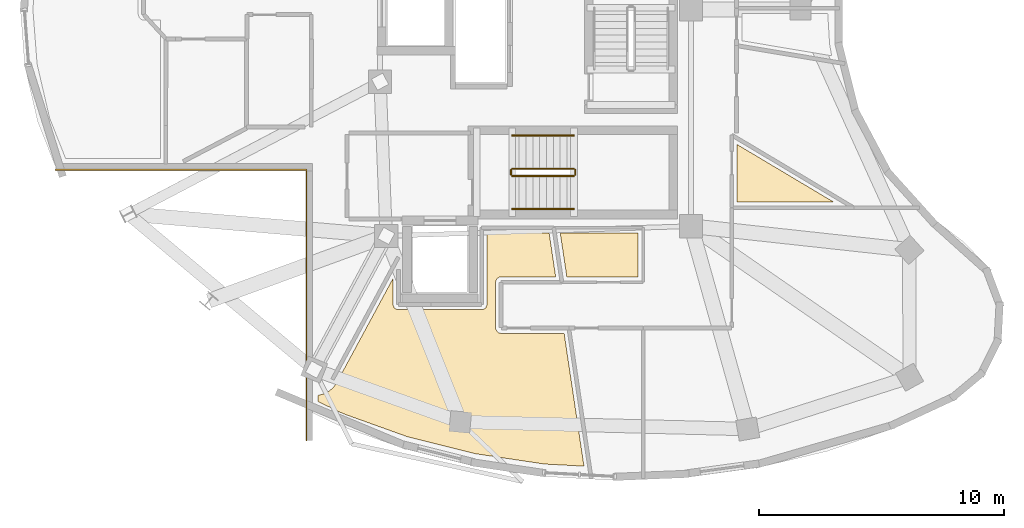
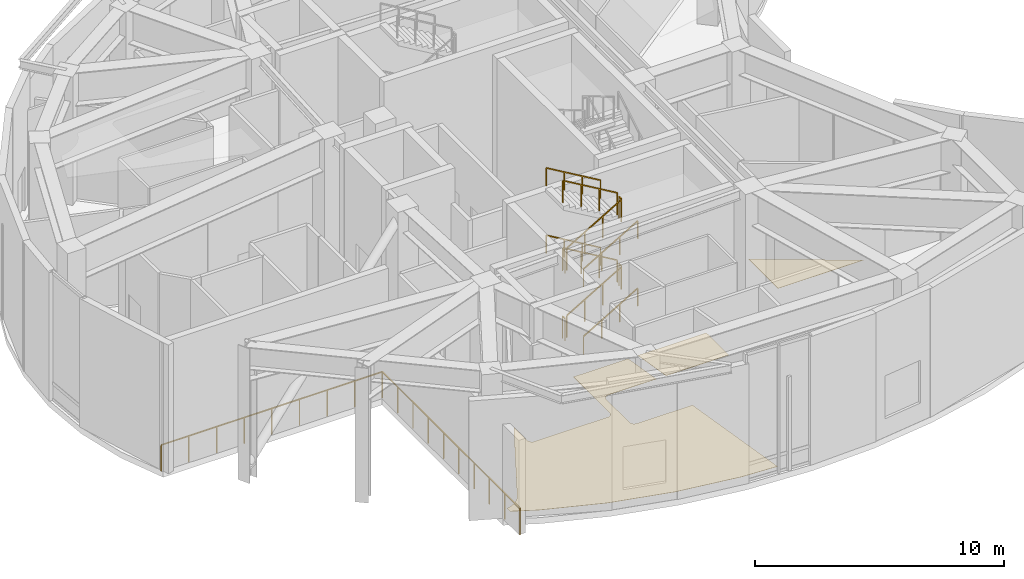
# One storey, part 10 of 12: 13 railings, 3 coverings.
"""IFC4 building model written with IfcOpenShell, lengths in metres."""

from ifc_helpers import new_model, si_unit, direction, frame, origin, origin_2d, place, context, subcontext, project, spatial, polyline, rectangle, outline, extrude, material, layer, layer_set, type_object, element, save


model = new_model("IFC4")

# Units and contexts
model_context = context("Model", 3, precision=1e-05, world=origin(), true_north=direction((0.0, 1.0)))
body_context = subcontext(model_context, "Body", "Model", "MODEL_VIEW")
ifc_project = project(units=[si_unit("LENGTHUNIT", "METRE"), si_unit("AREAUNIT", "SQUARE_METRE"), si_unit("VOLUMEUNIT", "CUBIC_METRE"), si_unit("PLANEANGLEUNIT", "RADIAN"), si_unit("MASSUNIT", "GRAM", prefix="KILO")], contexts=[model_context])

# Site, building, storey
site_placement = place(None, origin())
site = spatial("IfcSite", under=ifc_project, at=site_placement, CompositionType="ELEMENT")
building_placement = place(site_placement, origin())
building = spatial("IfcBuilding", under=site, at=building_placement, Name="Korentha Bioscience Tower", CompositionType="ELEMENT")
storey_placement = place(building_placement, frame((0.0, 0.0, 291.0)))
storey = spatial("IfcBuildingStorey", under=building, at=storey_placement, Name="L67", CompositionType="ELEMENT", Elevation=291.0)

# Railings
ifc_material_1 = material(Name="Stainless Steel 304", Category="steel")
railing_type_1 = type_object("IfcRailingType", Name="Brushed Stainless Stair Handrail 900", PredefinedType="HANDRAIL", material=ifc_material_1)
railing_1_placement = place(storey_placement, frame((30.25, 18.85009765625, 0.1650390625)))
element("IfcRailing", 1, at=railing_1_placement, inside=storey, type_object=railing_type_1, Name="L67 ST-2 stair handrail 1", PredefinedType="HANDRAIL", context=body_context, shape_type="SweptSolid", body=[
    extrude(rectangle(XDim=0.048095703125, YDim=0.048095703125, at=origin_2d()), frame((0.0, 0.0, 0.8759765625), z_axis=(0.861560626758, 0.0, 0.507654692109), x_axis=(0.0, 1.0, 0.0)), (0.0, 0.0, 1.0), 2.925048828125),
    extrude(rectangle(XDim=0.0419921875, YDim=0.0419921875, at=origin_2d()), origin(), (0.0, 0.0, 1.0), 0.851806640625),
    extrude(rectangle(XDim=0.0419921875, YDim=0.0419921875, at=origin_2d()), frame((0.840087890625, 0.0, 0.494873046875)), (0.0, 0.0, 1.0), 0.851806640625),
    extrude(rectangle(XDim=0.0419921875, YDim=0.0419921875, at=origin_2d()), frame((1.679931640625, 0.0, 0.989990234375)), (0.0, 0.0, 1.0), 0.851806640625),
    extrude(rectangle(XDim=0.0419921875, YDim=0.0419921875, at=origin_2d()), frame((2.52001953125, 0.0, 1.48486328125)), (0.0, 0.0, 1.0), 0.851806640625),
])
railing_2_placement = place(storey_placement, frame((32.77001953125, 21.85009765625, 1.81494140625)))
element("IfcRailing", 2, at=railing_2_placement, inside=storey, type_object=railing_type_1, Name="L67 ST-2 stair handrail 2", PredefinedType="HANDRAIL", context=body_context, shape_type="SweptSolid", body=[
    extrude(rectangle(XDim=0.048095703125, YDim=0.048095703125, at=origin_2d()), frame((0.0, 0.0, 0.8759765625), z_axis=(-0.86152411907, 0.0, 0.507716645641), x_axis=(0.0, -1.0, 0.0)), (0.0, 0.0, 1.0), 2.925048828125),
    extrude(rectangle(XDim=0.0419921875, YDim=0.0419921875, at=origin_2d()), origin(), (0.0, 0.0, 1.0), 0.851806640625),
    extrude(rectangle(XDim=0.0419921875, YDim=0.0419921875, at=origin_2d()), frame((-0.840087890625, 0.0, 0.4951171875)), (0.0, 0.0, 1.0), 0.851806640625),
    extrude(rectangle(XDim=0.0419921875, YDim=0.0419921875, at=origin_2d()), frame((-1.679931640625, 0.0, 0.989990234375)), (0.0, 0.0, 1.0), 0.851806640625),
    extrude(rectangle(XDim=0.0419921875, YDim=0.0419921875, at=origin_2d()), frame((-2.52001953125, 0.0, 1.485107421875)), (0.0, 0.0, 1.0), 0.851806640625),
])
railing_3_placement = place(storey_placement, frame((30.25, 18.85009765625, 3.465087890625)))
element("IfcRailing", 3, at=railing_3_placement, inside=storey, type_object=railing_type_1, Name="L67 ST-2 stair handrail 3", PredefinedType="HANDRAIL", context=body_context, shape_type="SweptSolid", body=[
    extrude(rectangle(XDim=0.048095703125, YDim=0.048095703125, at=origin_2d()), frame((0.0, 0.0, 0.8759765625), z_axis=(0.861560626758, 0.0, 0.507654692109), x_axis=(0.0, 1.0, 0.0)), (0.0, 0.0, 1.0), 2.925048828125),
    extrude(rectangle(XDim=0.0419921875, YDim=0.0419921875, at=origin_2d()), origin(), (0.0, 0.0, 1.0), 0.851806640625),
    extrude(rectangle(XDim=0.0419921875, YDim=0.0419921875, at=origin_2d()), frame((0.840087890625, 0.0, 0.494873046875)), (0.0, 0.0, 1.0), 0.851806640625),
    extrude(rectangle(XDim=0.0419921875, YDim=0.0419921875, at=origin_2d()), frame((1.679931640625, 0.0, 0.989990234375)), (0.0, 0.0, 1.0), 0.851806640625),
    extrude(rectangle(XDim=0.0419921875, YDim=0.0419921875, at=origin_2d()), frame((2.52001953125, 0.0, 1.48486328125)), (0.0, 0.0, 1.0), 0.851806640625),
])
railing_4_placement = place(storey_placement, frame((32.77001953125, 21.85009765625, 5.114990234375)))
element("IfcRailing", 4, at=railing_4_placement, inside=storey, type_object=railing_type_1, Name="L67 ST-2 stair handrail 4", PredefinedType="HANDRAIL", context=body_context, shape_type="SweptSolid", body=[
    extrude(rectangle(XDim=0.048095703125, YDim=0.048095703125, at=origin_2d()), frame((0.0, 0.0, 0.8759765625), z_axis=(-0.86152411907, 0.0, 0.507716645641), x_axis=(0.0, -1.0, 0.0)), (0.0, 0.0, 1.0), 2.925048828125),
    extrude(rectangle(XDim=0.0419921875, YDim=0.0419921875, at=origin_2d()), origin(), (0.0, 0.0, 1.0), 0.851806640625),
    extrude(rectangle(XDim=0.0419921875, YDim=0.0419921875, at=origin_2d()), frame((-0.840087890625, 0.0, 0.4951171875)), (0.0, 0.0, 1.0), 0.851806640625),
    extrude(rectangle(XDim=0.0419921875, YDim=0.0419921875, at=origin_2d()), frame((-1.679931640625, 0.0, 0.989990234375)), (0.0, 0.0, 1.0), 0.851806640625),
    extrude(rectangle(XDim=0.0419921875, YDim=0.0419921875, at=origin_2d()), frame((-2.52001953125, 0.0, 1.485107421875)), (0.0, 0.0, 1.0), 0.851806640625),
])
ifc_material_2 = material(Name="Laminated Acoustic Safety Glass", Category="glass")
railing_type_2 = type_object("IfcRailingType", Name="Observatory Wind-Baffle Guardrail 1300", PredefinedType="BALUSTRADE", material=ifc_material_2)
railing_5_placement = place(storey_placement, frame((11.60009765625, 20.449951171875, 0.0)))
element("IfcRailing", 5, at=railing_5_placement, inside=storey, type_object=railing_type_2, Name="L67 Wind Portal Safety Guardrail", PredefinedType="BALUSTRADE", context=body_context, shape_type="SweptSolid", body=[
    extrude(rectangle(XDim=0.048095703125, YDim=0.048095703125, at=origin_2d()), frame((0.0, 0.0, 1.27587890625), z_axis=(1.0, 0.0, 0.0), x_axis=(0.0, 1.0, 0.0)), (0.0, 0.0, 1.0), 10.25),
    extrude(rectangle(XDim=0.048095703125, YDim=0.048095703125, at=origin_2d()), frame((10.25, 0.0, 1.27587890625), z_axis=(0.0, -1.0, 0.0), x_axis=(1.0, 0.0, 0.0)), (0.0, 0.0, 1.0), 11.050048828125),
    extrude(rectangle(XDim=0.0419921875, YDim=0.0419921875, at=origin_2d()), origin(), (0.0, 0.0, 1.0), 1.251953125),
    extrude(rectangle(XDim=0.0419921875, YDim=0.0419921875, at=origin_2d()), frame((1.28125, 0.0, 0.0)), (0.0, 0.0, 1.0), 1.251953125),
    extrude(rectangle(XDim=0.0419921875, YDim=0.0419921875, at=origin_2d()), frame((2.5625, 0.0, 0.0)), (0.0, 0.0, 1.0), 1.251953125),
    extrude(rectangle(XDim=0.0419921875, YDim=0.0419921875, at=origin_2d()), frame((3.84375, 0.0, 0.0)), (0.0, 0.0, 1.0), 1.251953125),
    extrude(rectangle(XDim=0.0419921875, YDim=0.0419921875, at=origin_2d()), frame((5.125, 0.0, 0.0)), (0.0, 0.0, 1.0), 1.251953125),
    extrude(rectangle(XDim=0.0419921875, YDim=0.0419921875, at=origin_2d()), frame((6.40625, 0.0, 0.0)), (0.0, 0.0, 1.0), 1.251953125),
    extrude(rectangle(XDim=0.0419921875, YDim=0.0419921875, at=origin_2d()), frame((7.6875, 0.0, 0.0)), (0.0, 0.0, 1.0), 1.251953125),
    extrude(rectangle(XDim=0.0419921875, YDim=0.0419921875, at=origin_2d()), frame((8.96875, 0.0, 0.0)), (0.0, 0.0, 1.0), 1.251953125),
    extrude(rectangle(XDim=0.0419921875, YDim=0.0419921875, at=origin_2d()), frame((10.25, 0.0, 0.0)), (0.0, 0.0, 1.0), 1.251953125),
    extrude(rectangle(XDim=0.0419921875, YDim=0.0419921875, at=origin_2d()), frame((10.25, -1.227783203125, 0.0)), (0.0, 0.0, 1.0), 1.251953125),
    extrude(rectangle(XDim=0.0419921875, YDim=0.0419921875, at=origin_2d()), frame((10.25, -2.45556640625, 0.0)), (0.0, 0.0, 1.0), 1.251953125),
    extrude(rectangle(XDim=0.0419921875, YDim=0.0419921875, at=origin_2d()), frame((10.25, -3.683349609375, 0.0)), (0.0, 0.0, 1.0), 1.251953125),
    extrude(rectangle(XDim=0.0419921875, YDim=0.0419921875, at=origin_2d()), frame((10.25, -4.9111328125, 0.0)), (0.0, 0.0, 1.0), 1.251953125),
    extrude(rectangle(XDim=0.0419921875, YDim=0.0419921875, at=origin_2d()), frame((10.25, -6.138916015625, 0.0)), (0.0, 0.0, 1.0), 1.251953125),
    extrude(rectangle(XDim=0.0419921875, YDim=0.0419921875, at=origin_2d()), frame((10.25, -7.36669921875, 0.0)), (0.0, 0.0, 1.0), 1.251953125),
    extrude(rectangle(XDim=0.0419921875, YDim=0.0419921875, at=origin_2d()), frame((10.25, -8.594482421875, 0.0)), (0.0, 0.0, 1.0), 1.251953125),
    extrude(rectangle(XDim=0.0419921875, YDim=0.0419921875, at=origin_2d()), frame((10.25, -9.822265625, 0.0)), (0.0, 0.0, 1.0), 1.251953125),
    extrude(rectangle(XDim=0.0419921875, YDim=0.0419921875, at=origin_2d()), frame((10.25, -11.050048828125, 0.0)), (0.0, 0.0, 1.0), 1.251953125),
])
ifc_material_3 = material(Name="Painted Steel S275", Category="steel")
railing_type_3 = type_object("IfcRailingType", Name="Painted Steel Stair Well Guardrail 1100", PredefinedType="GUARDRAIL", material=ifc_material_3)
railing_6_placement = place(storey_placement, frame((30.25, 20.199951171875, 0.1650390625)))
element("IfcRailing", 6, at=railing_6_placement, inside=storey, type_object=railing_type_3, Name="L67 ST-2 stair guard 1", PredefinedType="GUARDRAIL", context=body_context, shape_type="SweptSolid", body=[
    extrude(rectangle(XDim=0.048095703125, YDim=0.048095703125, at=origin_2d()), frame((0.0, 0.0, 1.076171875), z_axis=(0.861560626758, 0.0, 0.507654692109), x_axis=(0.0, 1.0, 0.0)), (0.0, 0.0, 1.0), 2.925048828125),
    extrude(rectangle(XDim=0.0419921875, YDim=0.0419921875, at=origin_2d()), origin(), (0.0, 0.0, 1.0), 1.052001953125),
    extrude(rectangle(XDim=0.0419921875, YDim=0.0419921875, at=origin_2d()), frame((0.840087890625, 0.0, 0.494873046875)), (0.0, 0.0, 1.0), 1.052001953125),
    extrude(rectangle(XDim=0.0419921875, YDim=0.0419921875, at=origin_2d()), frame((1.679931640625, 0.0, 0.989990234375)), (0.0, 0.0, 1.0), 1.052001953125),
    extrude(rectangle(XDim=0.0419921875, YDim=0.0419921875, at=origin_2d()), frame((2.52001953125, 0.0, 1.48486328125)), (0.0, 0.0, 1.0), 1.052001953125),
])
railing_7_placement = place(storey_placement, frame((32.820068359375, 20.25, 1.64990234375)))
element("IfcRailing", 7, at=railing_7_placement, inside=storey, type_object=railing_type_3, Name="L67 ST-2 stair guard 2", PredefinedType="GUARDRAIL", context=body_context, shape_type="SweptSolid", body=[
    extrude(rectangle(XDim=0.048095703125, YDim=0.048095703125, at=origin_2d()), frame((0.0, 0.0, 1.076171875), z_axis=(0.0, 1.0, 0.0), x_axis=(-1.0, 0.0, 0.0)), (0.0, 0.0, 1.0), 0.199951171875),
    extrude(rectangle(XDim=0.0419921875, YDim=0.0419921875, at=origin_2d()), origin(), (0.0, 0.0, 1.0), 1.052001953125),
    extrude(rectangle(XDim=0.0419921875, YDim=0.0419921875, at=origin_2d()), frame((0.0, 0.199951171875, 0.0)), (0.0, 0.0, 1.0), 1.052001953125),
])
railing_8_placement = place(storey_placement, frame((32.77001953125, 20.5, 1.81494140625)))
element("IfcRailing", 8, at=railing_8_placement, inside=storey, type_object=railing_type_3, Name="L67 ST-2 stair guard 3", PredefinedType="GUARDRAIL", context=body_context, shape_type="SweptSolid", body=[
    extrude(rectangle(XDim=0.048095703125, YDim=0.048095703125, at=origin_2d()), frame((0.0, 0.0, 1.076171875), z_axis=(-0.86152411907, 0.0, 0.507716645641), x_axis=(0.0, -1.0, 0.0)), (0.0, 0.0, 1.0), 2.925048828125),
    extrude(rectangle(XDim=0.0419921875, YDim=0.0419921875, at=origin_2d()), origin(), (0.0, 0.0, 1.0), 1.052001953125),
    extrude(rectangle(XDim=0.0419921875, YDim=0.0419921875, at=origin_2d()), frame((-0.840087890625, 0.0, 0.4951171875)), (0.0, 0.0, 1.0), 1.052001953125),
    extrude(rectangle(XDim=0.0419921875, YDim=0.0419921875, at=origin_2d()), frame((-1.679931640625, 0.0, 0.989990234375)), (0.0, 0.0, 1.0), 1.052001953125),
    extrude(rectangle(XDim=0.0419921875, YDim=0.0419921875, at=origin_2d()), frame((-2.52001953125, 0.0, 1.485107421875)), (0.0, 0.0, 1.0), 1.052001953125),
])
railing_9_placement = place(storey_placement, frame((30.199951171875, 20.25, 3.300048828125)))
element("IfcRailing", 9, at=railing_9_placement, inside=storey, type_object=railing_type_3, Name="L67 ST-2 stair guard 4", PredefinedType="GUARDRAIL", context=body_context, shape_type="SweptSolid", body=[
    extrude(rectangle(XDim=0.048095703125, YDim=0.048095703125, at=origin_2d()), frame((0.0, 0.0, 1.076171875), z_axis=(0.0, 1.0, 0.0), x_axis=(-1.0, 0.0, 0.0)), (0.0, 0.0, 1.0), 0.199951171875),
    extrude(rectangle(XDim=0.0419921875, YDim=0.0419921875, at=origin_2d()), origin(), (0.0, 0.0, 1.0), 1.052001953125),
    extrude(rectangle(XDim=0.0419921875, YDim=0.0419921875, at=origin_2d()), frame((0.0, 0.199951171875, 0.0)), (0.0, 0.0, 1.0), 1.052001953125),
])
railing_10_placement = place(storey_placement, frame((30.25, 20.199951171875, 3.465087890625)))
element("IfcRailing", 10, at=railing_10_placement, inside=storey, type_object=railing_type_3, Name="L67 ST-2 stair guard 5", PredefinedType="GUARDRAIL", context=body_context, shape_type="SweptSolid", body=[
    extrude(rectangle(XDim=0.048095703125, YDim=0.048095703125, at=origin_2d()), frame((0.0, 0.0, 1.076171875), z_axis=(0.861560626758, 0.0, 0.507654692109), x_axis=(0.0, 1.0, 0.0)), (0.0, 0.0, 1.0), 2.925048828125),
    extrude(rectangle(XDim=0.0419921875, YDim=0.0419921875, at=origin_2d()), origin(), (0.0, 0.0, 1.0), 1.052001953125),
    extrude(rectangle(XDim=0.0419921875, YDim=0.0419921875, at=origin_2d()), frame((0.840087890625, 0.0, 0.494873046875)), (0.0, 0.0, 1.0), 1.052001953125),
    extrude(rectangle(XDim=0.0419921875, YDim=0.0419921875, at=origin_2d()), frame((1.679931640625, 0.0, 0.989990234375)), (0.0, 0.0, 1.0), 1.052001953125),
    extrude(rectangle(XDim=0.0419921875, YDim=0.0419921875, at=origin_2d()), frame((2.52001953125, 0.0, 1.48486328125)), (0.0, 0.0, 1.0), 1.052001953125),
])
railing_11_placement = place(storey_placement, frame((32.820068359375, 20.25, 4.949951171875)))
element("IfcRailing", 11, at=railing_11_placement, inside=storey, type_object=railing_type_3, Name="L67 ST-2 stair guard 6", PredefinedType="GUARDRAIL", context=body_context, shape_type="SweptSolid", body=[
    extrude(rectangle(XDim=0.048095703125, YDim=0.048095703125, at=origin_2d()), frame((0.0, 0.0, 1.076171875), z_axis=(0.0, 1.0, 0.0), x_axis=(-1.0, 0.0, 0.0)), (0.0, 0.0, 1.0), 0.199951171875),
    extrude(rectangle(XDim=0.0419921875, YDim=0.0419921875, at=origin_2d()), origin(), (0.0, 0.0, 1.0), 1.052001953125),
    extrude(rectangle(XDim=0.0419921875, YDim=0.0419921875, at=origin_2d()), frame((0.0, 0.199951171875, 0.0)), (0.0, 0.0, 1.0), 1.052001953125),
])
railing_12_placement = place(storey_placement, frame((32.77001953125, 20.5, 5.114990234375)))
element("IfcRailing", 12, at=railing_12_placement, inside=storey, type_object=railing_type_3, Name="L67 ST-2 stair guard 7", PredefinedType="GUARDRAIL", context=body_context, shape_type="SweptSolid", body=[
    extrude(rectangle(XDim=0.048095703125, YDim=0.048095703125, at=origin_2d()), frame((0.0, 0.0, 1.076171875), z_axis=(-0.86152411907, 0.0, 0.507716645641), x_axis=(0.0, -1.0, 0.0)), (0.0, 0.0, 1.0), 2.925048828125),
    extrude(rectangle(XDim=0.0419921875, YDim=0.0419921875, at=origin_2d()), origin(), (0.0, 0.0, 1.0), 1.052001953125),
    extrude(rectangle(XDim=0.0419921875, YDim=0.0419921875, at=origin_2d()), frame((-0.840087890625, 0.0, 0.4951171875)), (0.0, 0.0, 1.0), 1.052001953125),
    extrude(rectangle(XDim=0.0419921875, YDim=0.0419921875, at=origin_2d()), frame((-1.679931640625, 0.0, 0.989990234375)), (0.0, 0.0, 1.0), 1.052001953125),
    extrude(rectangle(XDim=0.0419921875, YDim=0.0419921875, at=origin_2d()), frame((-2.52001953125, 0.0, 1.485107421875)), (0.0, 0.0, 1.0), 1.052001953125),
])
railing_13_placement = place(storey_placement, frame((30.199951171875, 20.25, 0.0)))
element("IfcRailing", 13, at=railing_13_placement, inside=storey, type_object=railing_type_3, Name="L67 ST-2 stair guard 8", PredefinedType="GUARDRAIL", context=body_context, shape_type="SweptSolid", body=[
    extrude(rectangle(XDim=0.048095703125, YDim=0.048095703125, at=origin_2d()), frame((0.0, 0.0, 1.076171875), z_axis=(0.0, 1.0, 0.0), x_axis=(-1.0, 0.0, 0.0)), (0.0, 0.0, 1.0), 0.199951171875),
    extrude(rectangle(XDim=0.0419921875, YDim=0.0419921875, at=origin_2d()), origin(), (0.0, 0.0, 1.0), 1.052001953125),
    extrude(rectangle(XDim=0.0419921875, YDim=0.0419921875, at=origin_2d()), frame((0.0, 0.199951171875, 0.0)), (0.0, 0.0, 1.0), 1.052001953125),
])

# Coverings
ifc_material_4 = material(Name="Chemical-Resistant Epoxy Resin", Category="polymer")
ifc_layer = layer(ifc_material_4, 0.011962890625, Name="Chemical-Resistant Epoxy Resin")
ifc_layer_set = layer_set([ifc_layer], Name="Chemical-Resistant Epoxy Resin (FL-EPX)")
covering_type = type_object("IfcCoveringType", Name="Seamless Epoxy Laboratory Flooring 12", PredefinedType="FLOORING", material=ifc_layer_set)
covering_1_placement = place(storey_placement, origin())
element("IfcCovering", 14, at=covering_1_placement, inside=storey, type_object=covering_type, Name="L67 Biomechanical Motion Analysis Lab 03 Floor Finish", PredefinedType="FLOORING", context=body_context, shape_type="SweptSolid", body=[
    extrude(outline(polyline([(22.31005859375, 11.23291015625), (22.562744140625, 11.30078125), (22.748046875, 11.39892578125), (22.910888671875, 11.531494140625), (23.047607421875, 11.697998046875), (25.3798828125, 16.014404296875), (25.381103515625, 14.931884765625), (25.430908203125, 14.811767578125), (25.538818359375, 14.73974609375), (29.060791015625, 14.739501953125), (29.169189453125, 14.81201171875), (29.2197265625, 14.943115234375), (29.219970703125, 17.8701171875), (31.755615234375, 17.8701171875), (32.02294921875, 16.080078125), (29.789306640625, 16.07958984375), (29.72216796875, 16.06640625), (29.64599609375, 16.020751953125), (29.591796875, 15.947998046875), (29.5703125, 15.86083984375), (29.572509765625, 13.9658203125), (29.6025390625, 13.882080078125), (29.64599609375, 13.829345703125), (29.7021484375, 13.7919921875), (29.7880859375, 13.770263671875), (32.368408203125, 13.77001953125), (33.178955078125, 8.345458984375), (31.570068359375, 8.431396484375), (28.72802734375, 8.856201171875), (25.97314453125, 9.54541015625), (23.345703125, 10.488525390625), (22.31005859375, 10.98583984375), (22.31005859375, 11.23291015625)])), origin(), (0.0, 0.0, 1.0), 0.011962890625),
])
covering_2_placement = place(storey_placement, origin())
element("IfcCovering", 15, at=covering_2_placement, inside=storey, type_object=covering_type, Name="L67 Climate Telemetry Control Studio 05 Floor Finish", PredefinedType="FLOORING", context=body_context, shape_type="SweptSolid", body=[
    extrude(outline(polyline([(32.21044921875, 17.8701171875), (35.3779296875, 17.8701171875), (35.3779296875, 16.080078125), (32.47802734375, 16.080078125), (32.21044921875, 17.8701171875)])), origin(), (0.0, 0.0, 1.0), 0.011962890625),
])
covering_3_placement = place(storey_placement, origin())
element("IfcCovering", 16, at=covering_3_placement, inside=storey, type_object=covering_type, Name="L67 Panoramic Refreshment Lounge 07 Floor Finish", PredefinedType="FLOORING", context=body_context, shape_type="SweptSolid", body=[
    extrude(outline(polyline([(39.429931640625, 19.1279296875), (39.429931640625, 21.487060546875), (43.38720703125, 19.1279296875), (39.429931640625, 19.1279296875)])), origin(), (0.0, 0.0, 1.0), 0.011962890625),
])

save(model, "model.ifc")
